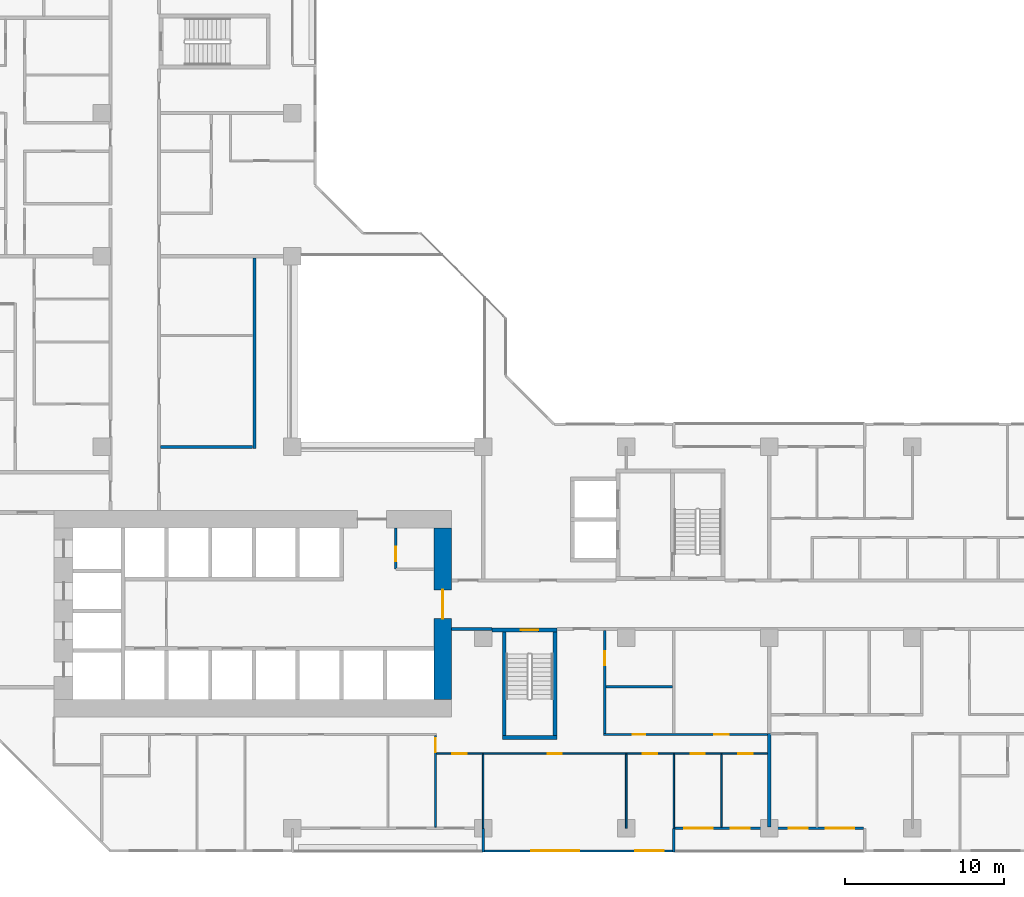
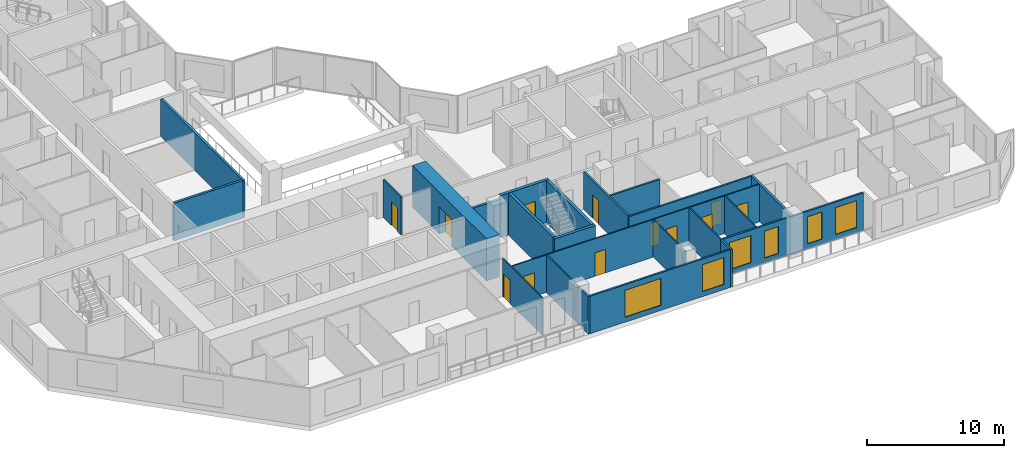
# One storey, part 6 of 15: 23 walls, 12 doors, 6 windows, 18 openings.
"""IFC4 building model written with IfcOpenShell, lengths in metres."""

from ifc_helpers import new_model, si_unit, direction, frame, frame_2d, origin, place, context, subcontext, project, spatial, rectangle, extrude, material, layer, layer_set, type_object, element, fill, save


model = new_model("IFC4")

# Units and contexts
model_context = context("Model", 3, precision=1e-05, world=origin(), true_north=direction((0.0, 1.0)))
body_context = subcontext(model_context, "Body", "Model", "MODEL_VIEW")
ifc_project = project(units=[si_unit("LENGTHUNIT", "METRE"), si_unit("AREAUNIT", "SQUARE_METRE"), si_unit("VOLUMEUNIT", "CUBIC_METRE"), si_unit("PLANEANGLEUNIT", "RADIAN"), si_unit("MASSUNIT", "GRAM", prefix="KILO")], contexts=[model_context])

# Site, building, storey
site_placement = place(None, origin())
site = spatial("IfcSite", under=ifc_project, at=site_placement, CompositionType="ELEMENT")
building_placement = place(site_placement, origin())
building = spatial("IfcBuilding", under=site, at=building_placement, Name="Chenar Terraces", CompositionType="ELEMENT")
storey_placement = place(building_placement, frame((0.0, 0.0, 52.64990234375)))
storey = spatial("IfcBuildingStorey", under=building, at=storey_placement, Name="L10", CompositionType="ELEMENT", Elevation=52.64990234375)

# Wall, opening, door
ifc_material_1 = material(Name="Gypsum board on steel studs", Category="steel")
ifc_layer_1 = layer(ifc_material_1, 0.14990234375)
ifc_layer_set_1 = layer_set([ifc_layer_1], Name="Gypsum board on steel studs")
wall_type_1 = type_object("IfcWallType", Name="Core partition 150 gypsum board", PredefinedType="PARTITIONING", material=ifc_layer_set_1)
wall_1_placement = place(storey_placement, frame((30.5, 16.300048828125, 0.0), z_axis=(0.0, 0.0, 1.0), x_axis=(0.0, 1.0, 0.0)))
wall_1 = element("IfcWall", 1, at=wall_1_placement, inside=storey, type_object=wall_type_1, Name="Core partition CP1 vestibule room west wall", PredefinedType="PARTITIONING", context=body_context, shape_type="SweptSolid", body=[
    extrude(rectangle(XDim=2.599853515625, YDim=0.14990234375, at=frame_2d((1.2998046875, 0.0))), origin(), (0.0, 0.0, 1.0), 3.35009765625),
])
opening_1_placement = place(wall_1_placement, frame((0.5, 0.0, 0.0)))
opening_1 = element("IfcOpeningElement", 2, at=opening_1_placement, cuts=wall_1, Name="Opening DL10-C13", PredefinedType="OPENING", context=body_context, shape_type="SweptSolid", body=[
    extrude(rectangle(XDim=0.89990234375, YDim=2.10009765625, at=frame_2d((0.449951171875, 1.050048828125))), frame((0.0, 0.0849609375, 0.0), z_axis=(0.0, -1.0, 0.0), x_axis=(1.0, 0.0, 0.0)), (0.0, 0.0, 1.0), 0.169921875),
])
ifc_material_2 = material(Name="Steel-framed fire-resisting door leaf", Category="steel")
door_type_1 = type_object("IfcDoorType", Name="Riser fire door FD60 900 x 2100", OperationType="SINGLE_SWING_LEFT", PredefinedType="DOOR", material=ifc_material_2)
door_1_placement = place(opening_1_placement, frame((0.89990234375, 0.0, 0.0), z_axis=(0.0, 0.0, 1.0), x_axis=(-1.0, 0.0, 0.0)))
door_1 = element("IfcDoor", 3, at=door_1_placement, inside=storey, type_object=door_type_1, Name="Core room door DL10-C13", OperationType="SINGLE_SWING_RIGHT", OverallHeight=2.10009765625, OverallWidth=0.89990234375, PredefinedType="DOOR", context=body_context, shape_type="SweptSolid", body=[
    extrude(rectangle(XDim=0.89990234375, YDim=2.10009765625, at=frame_2d((0.449951171875, 1.050048828125))), frame((0.0, 0.02490234375, 0.0), z_axis=(0.0, -1.0, 0.0), x_axis=(1.0, 0.0, 0.0)), (0.0, 0.0, 1.0), 0.050048828125),
])
fill(opening_1, door_1)

ifc_material_3 = material(Name="Concrete C70/85", Category="concrete")
ifc_layer_2 = layer(ifc_material_3, 1.10009765625)
ifc_layer_set_2 = layer_set([ifc_layer_2], Name="Concrete C70/85")
wall_type_2 = type_object("IfcWallType", Name="Core wall 1100 Concrete C70/85", PredefinedType="SHEAR", material=ifc_layer_set_2)
wall_2_placement = place(storey_placement, frame((33.449951171875, 8.10009765625, 0.0), z_axis=(0.0, 0.0, 1.0), x_axis=(0.0, 1.0, 0.0)))
wall_2 = element("IfcWall", 4, at=wall_2_placement, inside=storey, type_object=wall_type_2, Name="Core wall E L10", PredefinedType="SHEAR", context=body_context, shape_type="SweptSolid", body=[
    extrude(rectangle(XDim=10.7998046875, YDim=1.10009765625, at=frame_2d((5.39990234375, 0.0))), origin(), (0.0, 0.0, 1.0), 3.75),
])
opening_2_placement = place(wall_2_placement, frame((5.10009765625, 0.0, 0.0)))
opening_2 = element("IfcOpeningElement", 5, at=opening_2_placement, cuts=wall_2, Name="Opening DL10-C1", PredefinedType="OPENING", context=body_context, shape_type="SweptSolid", body=[
    extrude(rectangle(XDim=1.800048828125, YDim=2.39990234375, at=frame_2d((0.89990234375, 1.199951171875))), frame((0.0, 0.56005859375, 0.0), z_axis=(0.0, -1.0, 0.0), x_axis=(1.0, 0.0, 0.0)), (0.0, 0.0, 1.0), 1.1201171875),
])
ifc_material_4 = material(Name="Steel-framed fire-resisting door leaf", Category="steel")
door_type_2 = type_object("IfcDoorType", Name="Core entrance double fire door FD60 1800 x 2400", OperationType="DOUBLE_DOOR_SINGLE_SWING", PredefinedType="DOOR", material=ifc_material_4)
door_2_placement = place(opening_2_placement, origin())
door_2 = element("IfcDoor", 6, at=door_2_placement, inside=storey, type_object=door_type_2, Name="Core door DL10-C1", OperationType="DOUBLE_DOOR_SINGLE_SWING", OverallHeight=2.39990234375, OverallWidth=1.800048828125, PredefinedType="DOOR", context=body_context, shape_type="SweptSolid", body=[
    extrude(rectangle(XDim=1.800048828125, YDim=2.39990234375, at=frame_2d((0.89990234375, 1.199951171875))), frame((0.0, 0.02490234375, 0.0), z_axis=(0.0, -1.0, 0.0), x_axis=(1.0, 0.0, 0.0)), (0.0, 0.0, 1.0), 0.050048828125),
])
fill(opening_2, door_2)

# Wall
ifc_material_5 = material(Name="Concrete C70/85", Category="concrete")
ifc_layer_3 = layer(ifc_material_5, 0.25)
ifc_layer_set_3 = layer_set([ifc_layer_3], Name="Concrete C70/85")
wall_type_3 = type_object("IfcWallType", Name="Core wall 250 Concrete C70/85", PredefinedType="SHEAR", material=ifc_layer_set_3)
wall_3_placement = place(storey_placement, frame((37.199951171875, 5.72509765625, 0.0), z_axis=(0.0, 0.0, 1.0), x_axis=(1.0, 0.0, 0.0)))
element("IfcWall", 7, at=wall_3_placement, inside=storey, type_object=wall_type_3, Name="Core wall ST2_S L10", PredefinedType="SHEAR", context=body_context, shape_type="SweptSolid", body=[
    extrude(rectangle(XDim=3.449951171875, YDim=0.25, at=frame_2d((1.72509765625, 0.0))), origin(), (0.0, 0.0, 1.0), 3.75),
])

# Wall, opening, door
wall_4_placement = place(storey_placement, frame((36.550048828125, 12.47509765625, 0.0), z_axis=(0.0, 0.0, 1.0), x_axis=(1.0, 0.0, 0.0)))
wall_4 = element("IfcWall", 8, at=wall_4_placement, inside=storey, type_object=wall_type_3, Name="Core wall ST2_N L10", PredefinedType="SHEAR", context=body_context, shape_type="SweptSolid", body=[
    extrude(rectangle(XDim=4.099853515625, YDim=0.25, at=frame_2d((2.0498046875, 0.0))), origin(), (0.0, 0.0, 1.0), 3.75),
])
opening_3_placement = place(wall_4_placement, frame((1.824951171875, 0.0, 0.0)))
opening_3 = element("IfcOpeningElement", 9, at=opening_3_placement, cuts=wall_4, Name="Opening DL10-C7", PredefinedType="OPENING", context=body_context, shape_type="SweptSolid", body=[
    extrude(rectangle(XDim=1.10009765625, YDim=2.199951171875, at=frame_2d((0.550048828125, 1.10009765625))), frame((0.0, 0.135009765625, 0.0), z_axis=(0.0, -1.0, 0.0), x_axis=(1.0, 0.0, 0.0)), (0.0, 0.0, 1.0), 0.27001953125),
])
ifc_material_6 = material(Name="Steel-framed fire-resisting door leaf", Category="steel")
door_type_3 = type_object("IfcDoorType", Name="Stair fire door FD60 1100 x 2200", OperationType="SINGLE_SWING_LEFT", PredefinedType="DOOR", material=ifc_material_6)
door_3_placement = place(opening_3_placement, frame((1.10009765625, 0.0, 0.0), z_axis=(0.0, 0.0, 1.0), x_axis=(-1.0, 0.0, 0.0)))
door_3 = element("IfcDoor", 10, at=door_3_placement, inside=storey, type_object=door_type_3, Name="Stair door DL10-C7", OperationType="SINGLE_SWING_LEFT", OverallHeight=2.199951171875, OverallWidth=1.10009765625, PredefinedType="DOOR", context=body_context, shape_type="SweptSolid", body=[
    extrude(rectangle(XDim=1.10009765625, YDim=2.199951171875, at=frame_2d((0.550048828125, 1.10009765625))), frame((0.0, 0.02490234375, 0.0), z_axis=(0.0, -1.0, 0.0), x_axis=(1.0, 0.0, 0.0)), (0.0, 0.0, 1.0), 0.050048828125),
])
fill(opening_3, door_3)

# Walls
for number, where, z_axis, x_axis, name in (
    (11, (37.324951171875, 5.85009765625, 0.0), (0.0, 0.0, 1.0), (0.0, 1.0, 0.0), "Core wall ST2_W L10"),
    (12, (40.52490234375, 5.85009765625, 0.0), (0.0, 0.0, 1.0), (0.0, 1.0, 0.0), "Core wall ST2_E L10"),
):
    element("IfcWall", number, at=place(storey_placement, frame(where, z_axis=z_axis, x_axis=x_axis)), inside=storey, type_object=wall_type_3, Name=name, PredefinedType="SHEAR", context=body_context, shape_type="SweptSolid", body=[
        extrude(rectangle(XDim=6.5, YDim=0.25, at=frame_2d((3.25, 0.0))), origin(), (0.0, 0.0, 1.0), 3.75),
    ])
ifc_material_7 = material(Name="Gypsum board on steel studs with fire boards", Category="steel")
ifc_layer_4 = layer(ifc_material_7, 0.199951171875)
ifc_layer_set_4 = layer_set([ifc_layer_4], Name="Gypsum board on steel studs with fire boards")
wall_type_4 = type_object("IfcWallType", Name="Corridor wall 200", PredefinedType="PARTITIONING", material=ifc_layer_set_4)
wall_5_placement = place(storey_placement, frame((15.699951171875, 24.0, 0.0), z_axis=(0.0, 0.0, 1.0), x_axis=(1.0, 0.0, 0.0)))
element("IfcWall", 13, at=wall_5_placement, inside=storey, type_object=wall_type_4, Name="Partition L10-046", PredefinedType="PARTITIONING", context=body_context, shape_type="SweptSolid", body=[
    extrude(rectangle(XDim=5.800048828125, YDim=0.199951171875, at=frame_2d((2.89990234375, 0.0))), origin(), (0.0, 0.0, 1.0), 3.35009765625),
])
wall_6_placement = place(storey_placement, frame((21.60009765625, 23.89990234375, 0.0), z_axis=(0.0, 0.0, 1.0), x_axis=(0.0, 1.0, 0.0)))
element("IfcWall", 14, at=wall_6_placement, inside=storey, type_object=wall_type_4, Name="Partition L10-064", PredefinedType="PARTITIONING", context=body_context, shape_type="SweptSolid", body=[
    extrude(rectangle(XDim=12.0, YDim=0.199951171875, at=frame_2d((6.0, 0.0))), origin(), (0.0, 0.0, 1.0), 3.35009765625),
])
wall_7_placement = place(storey_placement, frame((34.0, 12.550048828125, 0.0), z_axis=(0.0, 0.0, 1.0), x_axis=(1.0, 0.0, 0.0)))
element("IfcWall", 15, at=wall_7_placement, inside=storey, type_object=wall_type_4, Name="Partition L10-068", PredefinedType="PARTITIONING", context=body_context, shape_type="SweptSolid", body=[
    extrude(rectangle(XDim=2.551025390625, YDim=0.199951171875, at=frame_2d((1.275390625, 0.0))), origin(), (0.0, 0.0, 1.0), 3.35009765625),
])

# Wall, openings, windows
ifc_material_8 = material(Name="Aluminium framed glazing", Category="aluminium")
ifc_layer_5 = layer(ifc_material_8, 0.14990234375)
ifc_layer_set_5 = layer_set([ifc_layer_5], Name="Aluminium framed glazing")
wall_type_5 = type_object("IfcWallType", Name="Glazed flush facade wall 150", PredefinedType="SOLIDWALL", material=ifc_layer_set_5)
wall_8_placement = place(storey_placement, frame((36.074951171875, -1.425048828125, 0.0), z_axis=(0.0, 0.0, 1.0), x_axis=(1.0, 0.0, 0.0)))
wall_8 = element("IfcWall", 16, at=wall_8_placement, inside=storey, type_object=wall_type_5, Name="Glazed flush facade wall", PredefinedType="SOLIDWALL", context=body_context, shape_type="SweptSolid", body=[
    extrude(rectangle(XDim=11.85009765625, YDim=0.14990234375, at=frame_2d((5.925048828125, 0.0))), origin(), (0.0, 0.0, 1.0), 3.35009765625),
])
opening_4_placement = place(wall_8_placement, frame((2.96240234375, 0.0, 0.449951171875)))
opening_4 = element("IfcOpeningElement", 17, at=opening_4_placement, cuts=wall_8, Name="Opening W300x240", PredefinedType="OPENING", context=body_context, shape_type="SweptSolid", body=[
    extrude(rectangle(XDim=3.0, YDim=2.39990234375, at=frame_2d((1.5, 1.199951171875))), frame((0.0, 0.0849609375, 0.0), z_axis=(0.0, -1.0, 0.0), x_axis=(1.0, 0.0, 0.0)), (0.0, 0.0, 1.0), 0.169921875),
])
opening_5_placement = place(wall_8_placement, frame((9.487548828125, 0.0, 0.449951171875)))
opening_5 = element("IfcOpeningElement", 18, at=opening_5_placement, cuts=wall_8, Name="Opening W180x240", PredefinedType="OPENING", context=body_context, shape_type="SweptSolid", body=[
    extrude(rectangle(XDim=1.800048828125, YDim=2.39990234375, at=frame_2d((0.89990234375, 1.199951171875))), frame((0.0, 0.0849609375, 0.0), z_axis=(0.0, -1.0, 0.0), x_axis=(1.0, 0.0, 0.0)), (0.0, 0.0, 1.0), 0.169921875),
])
ifc_material_9 = material(Name="Low emissivity double glazing, aluminium frame", Category="aluminium")
window_type_1 = type_object("IfcWindowType", Name="Fixed light 1800 x 2400", PartitioningType="SINGLE_PANEL", PredefinedType="WINDOW", material=ifc_material_9)
window_1_placement = place(opening_5_placement, origin())
window_1 = element("IfcWindow", 19, at=window_1_placement, inside=storey, type_object=window_type_1, Name="Window", OverallHeight=2.39990234375, OverallWidth=1.800048828125, PartitioningType="SINGLE_PANEL", PredefinedType="WINDOW", context=body_context, shape_type="SweptSolid", body=[
    extrude(rectangle(XDim=1.800048828125, YDim=2.39990234375, at=frame_2d((0.89990234375, 1.199951171875))), frame((0.0, 0.030029296875, 0.0), z_axis=(0.0, -1.0, 0.0), x_axis=(1.0, 0.0, 0.0)), (0.0, 0.0, 1.0), 0.06005859375),
])
fill(opening_5, window_1)
ifc_material_10 = material(Name="Low emissivity double glazing, aluminium frame", Category="aluminium")
window_type_2 = type_object("IfcWindowType", Name="Fixed light 3000 x 2400", PartitioningType="SINGLE_PANEL", PredefinedType="WINDOW", material=ifc_material_10)
window_2_placement = place(opening_4_placement, origin())
window_2 = element("IfcWindow", 20, at=window_2_placement, inside=storey, type_object=window_type_2, Name="Window", OverallHeight=2.39990234375, OverallWidth=3.0, PartitioningType="SINGLE_PANEL", PredefinedType="WINDOW", context=body_context, shape_type="SweptSolid", body=[
    extrude(rectangle(XDim=3.0, YDim=2.39990234375, at=frame_2d((1.5, 1.199951171875))), frame((0.0, 0.030029296875, 0.0), z_axis=(0.0, -1.0, 0.0), x_axis=(1.0, 0.0, 0.0)), (0.0, 0.0, 1.0), 0.06005859375),
])
fill(opening_4, window_2)

ifc_material_11 = material(Name="Aluminium framed glazing", Category="aluminium")
ifc_layer_6 = layer(ifc_material_11, 0.14990234375)
ifc_layer_set_6 = layer_set([ifc_layer_6], Name="Aluminium framed glazing")
wall_type_6 = type_object("IfcWallType", Name="Glazed loggia back wall 150", PredefinedType="SOLIDWALL", material=ifc_layer_set_6)
wall_9_placement = place(storey_placement, frame((48.074951171875, 0.0, 0.0), z_axis=(0.0, 0.0, 1.0), x_axis=(1.0, 0.0, 0.0)))
wall_9 = element("IfcWall", 21, at=wall_9_placement, inside=storey, type_object=wall_type_6, Name="Glazed loggia back wall", PredefinedType="SOLIDWALL", context=body_context, shape_type="SweptSolid", body=[
    extrude(rectangle(XDim=11.85009765625, YDim=0.14990234375, at=frame_2d((5.925048828125, 0.0))), origin(), (0.0, 0.0, 1.0), 3.35009765625),
])
opening_6_placement = place(wall_9_placement, frame((0.5625, 0.0, 0.449951171875)))
opening_6 = element("IfcOpeningElement", 22, at=opening_6_placement, cuts=wall_9, Name="Opening W180x240", PredefinedType="OPENING", context=body_context, shape_type="SweptSolid", body=[
    extrude(rectangle(XDim=1.800048828125, YDim=2.39990234375, at=frame_2d((0.89990234375, 1.199951171875))), frame((0.0, 0.0849609375, 0.0), z_axis=(0.0, -1.0, 0.0), x_axis=(1.0, 0.0, 0.0)), (0.0, 0.0, 1.0), 0.169921875),
])
opening_7_placement = place(wall_9_placement, frame((3.5, 0.0, 0.449951171875)))
opening_7 = element("IfcOpeningElement", 23, at=opening_7_placement, cuts=wall_9, Name="Opening W120x240", PredefinedType="OPENING", context=body_context, shape_type="SweptSolid", body=[
    extrude(rectangle(XDim=1.199951171875, YDim=2.39990234375, at=frame_2d((0.60009765625, 1.199951171875))), frame((0.0, 0.0849609375, 0.0), z_axis=(0.0, -1.0, 0.0), x_axis=(1.0, 0.0, 0.0)), (0.0, 0.0, 1.0), 0.169921875),
])
opening_8_placement = place(wall_9_placement, frame((7.14990234375, 0.0, 0.449951171875)))
opening_8 = element("IfcOpeningElement", 24, at=opening_8_placement, cuts=wall_9, Name="Opening W120x240", PredefinedType="OPENING", context=body_context, shape_type="SweptSolid", body=[
    extrude(rectangle(XDim=1.199951171875, YDim=2.39990234375, at=frame_2d((0.60009765625, 1.199951171875))), frame((0.0, 0.0849609375, 0.0), z_axis=(0.0, -1.0, 0.0), x_axis=(1.0, 0.0, 0.0)), (0.0, 0.0, 1.0), 0.169921875),
])
opening_9_placement = place(wall_9_placement, frame((9.487548828125, 0.0, 0.449951171875)))
opening_9 = element("IfcOpeningElement", 25, at=opening_9_placement, cuts=wall_9, Name="Opening W180x240", PredefinedType="OPENING", context=body_context, shape_type="SweptSolid", body=[
    extrude(rectangle(XDim=1.800048828125, YDim=2.39990234375, at=frame_2d((0.89990234375, 1.199951171875))), frame((0.0, 0.0849609375, 0.0), z_axis=(0.0, -1.0, 0.0), x_axis=(1.0, 0.0, 0.0)), (0.0, 0.0, 1.0), 0.169921875),
])
ifc_material_12 = material(Name="Low emissivity double glazing, aluminium frame", Category="aluminium")
window_type_3 = type_object("IfcWindowType", Name="Fixed light 1200 x 2400", PartitioningType="SINGLE_PANEL", PredefinedType="WINDOW", material=ifc_material_12)
window_3_placement = place(opening_7_placement, origin())
window_3 = element("IfcWindow", 26, at=window_3_placement, inside=storey, type_object=window_type_3, Name="Window", OverallHeight=2.39990234375, OverallWidth=1.199951171875, PartitioningType="SINGLE_PANEL", PredefinedType="WINDOW", context=body_context, shape_type="SweptSolid", body=[
    extrude(rectangle(XDim=1.199951171875, YDim=2.39990234375, at=frame_2d((0.60009765625, 1.199951171875))), frame((0.0, 0.030029296875, 0.0), z_axis=(0.0, -1.0, 0.0), x_axis=(1.0, 0.0, 0.0)), (0.0, 0.0, 1.0), 0.06005859375),
])
fill(opening_7, window_3)
window_4_placement = place(opening_8_placement, origin())
window_4 = element("IfcWindow", 27, at=window_4_placement, inside=storey, type_object=window_type_3, Name="Window", OverallHeight=2.39990234375, OverallWidth=1.199951171875, PartitioningType="SINGLE_PANEL", PredefinedType="WINDOW", context=body_context, shape_type="SweptSolid", body=[
    extrude(rectangle(XDim=1.199951171875, YDim=2.39990234375, at=frame_2d((0.60009765625, 1.199951171875))), frame((0.0, 0.030029296875, 0.0), z_axis=(0.0, -1.0, 0.0), x_axis=(1.0, 0.0, 0.0)), (0.0, 0.0, 1.0), 0.06005859375),
])
fill(opening_8, window_4)
window_5_placement = place(opening_6_placement, origin())
window_5 = element("IfcWindow", 28, at=window_5_placement, inside=storey, type_object=window_type_1, Name="Window", OverallHeight=2.39990234375, OverallWidth=1.800048828125, PartitioningType="SINGLE_PANEL", PredefinedType="WINDOW", context=body_context, shape_type="SweptSolid", body=[
    extrude(rectangle(XDim=1.800048828125, YDim=2.39990234375, at=frame_2d((0.89990234375, 1.199951171875))), frame((0.0, 0.030029296875, 0.0), z_axis=(0.0, -1.0, 0.0), x_axis=(1.0, 0.0, 0.0)), (0.0, 0.0, 1.0), 0.06005859375),
])
fill(opening_6, window_5)
window_6_placement = place(opening_9_placement, origin())
window_6 = element("IfcWindow", 29, at=window_6_placement, inside=storey, type_object=window_type_1, Name="Window", OverallHeight=2.39990234375, OverallWidth=1.800048828125, PartitioningType="SINGLE_PANEL", PredefinedType="WINDOW", context=body_context, shape_type="SweptSolid", body=[
    extrude(rectangle(XDim=1.800048828125, YDim=2.39990234375, at=frame_2d((0.89990234375, 1.199951171875))), frame((0.0, 0.030029296875, 0.0), z_axis=(0.0, -1.0, 0.0), x_axis=(1.0, 0.0, 0.0)), (0.0, 0.0, 1.0), 0.06005859375),
])
fill(opening_9, window_6)

# Wall, opening, door
ifc_material_13 = material(Name="Gypsum board on steel studs", Category="steel")
ifc_layer_7 = layer(ifc_material_13, 0.10009765625)
ifc_layer_set_7 = layer_set([ifc_layer_7], Name="Gypsum board on steel studs")
wall_type_7 = type_object("IfcWallType", Name="Gypsum partition 100", PredefinedType="PARTITIONING", material=ifc_layer_set_7)
wall_10_placement = place(storey_placement, frame((33.0, 0.073974609375, 0.0), z_axis=(0.0, 0.0, 1.0), x_axis=(0.0, 1.0, 0.0)))
wall_10 = element("IfcWall", 30, at=wall_10_placement, inside=storey, type_object=wall_type_7, Name="Partition L10-066", PredefinedType="PARTITIONING", context=body_context, shape_type="SweptSolid", body=[
    extrude(rectangle(XDim=5.7509765625, YDim=0.10009765625, at=frame_2d((2.87548828125, 0.0))), origin(), (0.0, 0.0, 1.0), 3.35009765625),
])
opening_10_placement = place(wall_10_placement, frame((4.700927734375, 0.0, 0.0)))
opening_10 = element("IfcOpeningElement", 31, at=opening_10_placement, cuts=wall_10, Name="Opening DL10-53", PredefinedType="OPENING", context=body_context, shape_type="SweptSolid", body=[
    extrude(rectangle(XDim=0.89990234375, YDim=2.10009765625, at=frame_2d((0.449951171875, 1.050048828125))), frame((0.0, 0.06005859375, 0.0), z_axis=(0.0, -1.0, 0.0), x_axis=(1.0, 0.0, 0.0)), (0.0, 0.0, 1.0), 0.1201171875),
])
ifc_material_14 = material(Name="Veneered timber door leaf", Category="wood")
door_type_4 = type_object("IfcDoorType", Name="Door 900 x 2100", OperationType="SINGLE_SWING_LEFT", PredefinedType="DOOR", material=ifc_material_14)
door_4_placement = place(opening_10_placement, origin())
door_4 = element("IfcDoor", 32, at=door_4_placement, inside=storey, type_object=door_type_4, Name="Door DL10-53", OperationType="SINGLE_SWING_RIGHT", OverallHeight=2.10009765625, OverallWidth=0.89990234375, PredefinedType="DOOR", context=body_context, shape_type="SweptSolid", body=[
    extrude(rectangle(XDim=0.89990234375, YDim=2.10009765625, at=frame_2d((0.449951171875, 1.050048828125))), frame((0.0, 0.02490234375, 0.0), z_axis=(0.0, -1.0, 0.0), x_axis=(1.0, 0.0, 0.0)), (0.0, 0.0, 1.0), 0.050048828125),
])
fill(opening_10, door_4)

# Wall, openings, doors
wall_11_placement = place(storey_placement, frame((33.050048828125, 4.699951171875, 0.0), z_axis=(0.0, 0.0, 1.0), x_axis=(1.0, 0.0, 0.0)))
wall_11 = element("IfcWall", 33, at=wall_11_placement, inside=storey, type_object=wall_type_7, Name="Partition L10-067", PredefinedType="PARTITIONING", context=body_context, shape_type="SweptSolid", body=[
    extrude(rectangle(XDim=20.849853515625, YDim=0.10009765625, at=frame_2d((10.4248046875, 0.0))), origin(), (0.0, 0.0, 1.0), 3.35009765625),
])
opening_11_placement = place(wall_11_placement, frame((1.0, 0.0, 0.0)))
opening_11 = element("IfcOpeningElement", 34, at=opening_11_placement, cuts=wall_11, Name="Opening DL10-54", PredefinedType="OPENING", context=body_context, shape_type="SweptSolid", body=[
    extrude(rectangle(XDim=0.89990234375, YDim=2.10009765625, at=frame_2d((0.449951171875, 1.050048828125))), frame((0.0, 0.06005859375, 0.0), z_axis=(0.0, -1.0, 0.0), x_axis=(1.0, 0.0, 0.0)), (0.0, 0.0, 1.0), 0.1201171875),
])
opening_12_placement = place(wall_11_placement, frame((13.0, 0.0, 0.0)))
opening_12 = element("IfcOpeningElement", 35, at=opening_12_placement, cuts=wall_11, Name="Opening DL10-55", PredefinedType="OPENING", context=body_context, shape_type="SweptSolid", body=[
    extrude(rectangle(XDim=0.89990234375, YDim=2.10009765625, at=frame_2d((0.449951171875, 1.050048828125))), frame((0.0, 0.06005859375, 0.0), z_axis=(0.0, -1.0, 0.0), x_axis=(1.0, 0.0, 0.0)), (0.0, 0.0, 1.0), 0.1201171875),
])
opening_13_placement = place(wall_11_placement, frame((16.0, 0.0, 0.0)))
opening_13 = element("IfcOpeningElement", 36, at=opening_13_placement, cuts=wall_11, Name="Opening DL10-56", PredefinedType="OPENING", context=body_context, shape_type="SweptSolid", body=[
    extrude(rectangle(XDim=0.89990234375, YDim=2.10009765625, at=frame_2d((0.449951171875, 1.050048828125))), frame((0.0, 0.06005859375, 0.0), z_axis=(0.0, -1.0, 0.0), x_axis=(1.0, 0.0, 0.0)), (0.0, 0.0, 1.0), 0.1201171875),
])
opening_14_placement = place(wall_11_placement, frame((19.0, 0.0, 0.0)))
opening_14 = element("IfcOpeningElement", 37, at=opening_14_placement, cuts=wall_11, Name="Opening DL10-57", PredefinedType="OPENING", context=body_context, shape_type="SweptSolid", body=[
    extrude(rectangle(XDim=0.89990234375, YDim=2.10009765625, at=frame_2d((0.449951171875, 1.050048828125))), frame((0.0, 0.06005859375, 0.0), z_axis=(0.0, -1.0, 0.0), x_axis=(1.0, 0.0, 0.0)), (0.0, 0.0, 1.0), 0.1201171875),
])
opening_15_placement = place(wall_11_placement, frame((7.0, 0.0, 0.0)))
opening_15 = element("IfcOpeningElement", 38, at=opening_15_placement, cuts=wall_11, Name="Opening DL10-66", PredefinedType="OPENING", context=body_context, shape_type="SweptSolid", body=[
    extrude(rectangle(XDim=0.89990234375, YDim=2.10009765625, at=frame_2d((0.449951171875, 1.050048828125))), frame((0.0, 0.06005859375, 0.0), z_axis=(0.0, -1.0, 0.0), x_axis=(1.0, 0.0, 0.0)), (0.0, 0.0, 1.0), 0.1201171875),
])
door_5_placement = place(opening_11_placement, frame((0.89990234375, 0.0, 0.0), z_axis=(0.0, 0.0, 1.0), x_axis=(-1.0, 0.0, 0.0)))
door_5 = element("IfcDoor", 39, at=door_5_placement, inside=storey, type_object=door_type_4, Name="Door DL10-54", OperationType="SINGLE_SWING_LEFT", OverallHeight=2.10009765625, OverallWidth=0.89990234375, PredefinedType="DOOR", context=body_context, shape_type="SweptSolid", body=[
    extrude(rectangle(XDim=0.89990234375, YDim=2.10009765625, at=frame_2d((0.449951171875, 1.050048828125))), frame((0.0, 0.02490234375, 0.0), z_axis=(0.0, -1.0, 0.0), x_axis=(1.0, 0.0, 0.0)), (0.0, 0.0, 1.0), 0.050048828125),
])
fill(opening_11, door_5)
door_6_placement = place(opening_12_placement, frame((0.89990234375, 0.0, 0.0), z_axis=(0.0, 0.0, 1.0), x_axis=(-1.0, 0.0, 0.0)))
door_6 = element("IfcDoor", 40, at=door_6_placement, inside=storey, type_object=door_type_4, Name="Door DL10-55", OperationType="SINGLE_SWING_LEFT", OverallHeight=2.10009765625, OverallWidth=0.89990234375, PredefinedType="DOOR", context=body_context, shape_type="SweptSolid", body=[
    extrude(rectangle(XDim=0.89990234375, YDim=2.10009765625, at=frame_2d((0.449951171875, 1.050048828125))), frame((0.0, 0.02490234375, 0.0), z_axis=(0.0, -1.0, 0.0), x_axis=(1.0, 0.0, 0.0)), (0.0, 0.0, 1.0), 0.050048828125),
])
fill(opening_12, door_6)
door_7_placement = place(opening_13_placement, frame((0.89990234375, 0.0, 0.0), z_axis=(0.0, 0.0, 1.0), x_axis=(-1.0, 0.0, 0.0)))
door_7 = element("IfcDoor", 41, at=door_7_placement, inside=storey, type_object=door_type_4, Name="Door DL10-56", OperationType="SINGLE_SWING_LEFT", OverallHeight=2.10009765625, OverallWidth=0.89990234375, PredefinedType="DOOR", context=body_context, shape_type="SweptSolid", body=[
    extrude(rectangle(XDim=0.89990234375, YDim=2.10009765625, at=frame_2d((0.449951171875, 1.050048828125))), frame((0.0, 0.02490234375, 0.0), z_axis=(0.0, -1.0, 0.0), x_axis=(1.0, 0.0, 0.0)), (0.0, 0.0, 1.0), 0.050048828125),
])
fill(opening_13, door_7)
door_8_placement = place(opening_14_placement, frame((0.89990234375, 0.0, 0.0), z_axis=(0.0, 0.0, 1.0), x_axis=(-1.0, 0.0, 0.0)))
door_8 = element("IfcDoor", 42, at=door_8_placement, inside=storey, type_object=door_type_4, Name="Door DL10-57", OperationType="SINGLE_SWING_LEFT", OverallHeight=2.10009765625, OverallWidth=0.89990234375, PredefinedType="DOOR", context=body_context, shape_type="SweptSolid", body=[
    extrude(rectangle(XDim=0.89990234375, YDim=2.10009765625, at=frame_2d((0.449951171875, 1.050048828125))), frame((0.0, 0.02490234375, 0.0), z_axis=(0.0, -1.0, 0.0), x_axis=(1.0, 0.0, 0.0)), (0.0, 0.0, 1.0), 0.050048828125),
])
fill(opening_14, door_8)
door_9_placement = place(opening_15_placement, frame((0.89990234375, 0.0, 0.0), z_axis=(0.0, 0.0, 1.0), x_axis=(-1.0, 0.0, 0.0)))
door_9 = element("IfcDoor", 43, at=door_9_placement, inside=storey, type_object=door_type_4, Name="Door DL10-66", OperationType="SINGLE_SWING_LEFT", OverallHeight=2.10009765625, OverallWidth=0.89990234375, PredefinedType="DOOR", context=body_context, shape_type="SweptSolid", body=[
    extrude(rectangle(XDim=0.89990234375, YDim=2.10009765625, at=frame_2d((0.449951171875, 1.050048828125))), frame((0.0, 0.02490234375, 0.0), z_axis=(0.0, -1.0, 0.0), x_axis=(1.0, 0.0, 0.0)), (0.0, 0.0, 1.0), 0.050048828125),
])
fill(opening_15, door_9)

# Walls
for number, where, z_axis, x_axis, name in (
    (44, (36.0, 0.0, 0.0), (0.0, 0.0, 1.0), (0.0, 1.0, 0.0), "Partition L10-070"),
    (45, (45.0, 0.0, 0.0), (0.0, 0.0, 1.0), (0.0, 1.0, 0.0), "Partition L10-076"),
    (46, (48.0, 0.0, 0.0), (0.0, 0.0, 1.0), (0.0, 1.0, 0.0), "Partition L10-078"),
):
    element("IfcWall", number, at=place(storey_placement, frame(where, z_axis=z_axis, x_axis=x_axis)), inside=storey, type_object=wall_type_7, Name=name, PredefinedType="PARTITIONING", context=body_context, shape_type="SweptSolid", body=[
        extrude(rectangle(XDim=4.64990234375, YDim=0.10009765625, at=frame_2d((2.324951171875, 0.0))), origin(), (0.0, 0.0, 1.0), 3.35009765625),
    ])
wall_12_placement = place(storey_placement, frame((51.0, 0.073974609375, 0.0), z_axis=(0.0, 0.0, 1.0), x_axis=(0.0, 1.0, 0.0)))
element("IfcWall", 47, at=wall_12_placement, inside=storey, type_object=wall_type_7, Name="Partition L10-080", PredefinedType="PARTITIONING", context=body_context, shape_type="SweptSolid", body=[
    extrude(rectangle(XDim=4.575927734375, YDim=0.10009765625, at=frame_2d((2.2880859375, 0.0))), origin(), (0.0, 0.0, 1.0), 3.35009765625),
])
ifc_material_15 = material(Name="Terracotta cladding on insulated backing", Category="masonry")
ifc_layer_8 = layer(ifc_material_15, 0.14990234375)
ifc_layer_set_8 = layer_set([ifc_layer_8], Name="Terracotta cladding on insulated backing")
wall_type_8 = type_object("IfcWallType", Name="Loggia return wall 150", PredefinedType="SOLIDWALL", material=ifc_layer_set_8)
for number, where, z_axis, x_axis, name in (
    (48, (36.0, -1.5, 0.0), (0.0, 0.0, 1.0), (0.0, 1.0, 0.0), "Loggia return wall"),
    (49, (48.0, -1.5, 0.0), (0.0, 0.0, 1.0), (0.0, 1.0, 0.0), "Loggia return wall"),
):
    element("IfcWall", number, at=place(storey_placement, frame(where, z_axis=z_axis, x_axis=x_axis)), inside=storey, type_object=wall_type_8, Name=name, PredefinedType="SOLIDWALL", context=body_context, shape_type="SweptSolid", body=[
        extrude(rectangle(XDim=1.5, YDim=0.14990234375, at=frame_2d((0.75, 0.0))), origin(), (0.0, 0.0, 1.0), 3.35009765625),
    ])
ifc_material_16 = material(Name="Twin gypsum board on steel studs with mineral wool", Category="steel")
ifc_layer_9 = layer(ifc_material_16, 0.199951171875)
ifc_layer_set_9 = layer_set([ifc_layer_9], Name="Twin gypsum board on steel studs with mineral wool")
wall_type_9 = type_object("IfcWallType", Name="Unit demising wall 200", PredefinedType="PARTITIONING", material=ifc_layer_set_9)
wall_13_placement = place(storey_placement, frame((54.0, 0.073974609375, 0.0), z_axis=(0.0, 0.0, 1.0), x_axis=(0.0, 1.0, 0.0)))
element("IfcWall", 50, at=wall_13_placement, inside=storey, type_object=wall_type_9, Name="Partition L10-082", PredefinedType="PARTITIONING", context=body_context, shape_type="SweptSolid", body=[
    extrude(rectangle(XDim=5.901123046875, YDim=0.199951171875, at=frame_2d((2.95068359375, 0.0))), origin(), (0.0, 0.0, 1.0), 3.35009765625),
])

# Wall, openings, doors
ifc_material_17 = material(Name="Moisture-resistant gypsum board on steel studs", Category="steel")
ifc_layer_10 = layer(ifc_material_17, 0.14990234375)
ifc_layer_set_10 = layer_set([ifc_layer_10], Name="Moisture-resistant gypsum board on steel studs")
wall_type_10 = type_object("IfcWallType", Name="Wet-room partition 150", PredefinedType="PARTITIONING", material=ifc_layer_set_10)
wall_14_placement = place(storey_placement, frame((43.574951171875, 5.89990234375, 0.0), z_axis=(0.0, 0.0, 1.0), x_axis=(1.0, 0.0, 0.0)))
wall_14 = element("IfcWall", 51, at=wall_14_placement, inside=storey, type_object=wall_type_10, Name="Partition L10-073", PredefinedType="PARTITIONING", context=body_context, shape_type="SweptSolid", body=[
    extrude(rectangle(XDim=10.324951171875, YDim=0.14990234375, at=frame_2d((5.16259765625, 0.0))), origin(), (0.0, 0.0, 1.0), 3.35009765625),
])
opening_16_placement = place(wall_14_placement, frame((1.824951171875, 0.0, 0.0)))
opening_16 = element("IfcOpeningElement", 52, at=opening_16_placement, cuts=wall_14, Name="Opening DL10-51", PredefinedType="OPENING", context=body_context, shape_type="SweptSolid", body=[
    extrude(rectangle(XDim=0.800048828125, YDim=2.10009765625, at=frame_2d((0.39990234375, 1.050048828125))), frame((0.0, 0.0849609375, 0.0), z_axis=(0.0, -1.0, 0.0), x_axis=(1.0, 0.0, 0.0)), (0.0, 0.0, 1.0), 0.169921875),
])
opening_17_placement = place(wall_14_placement, frame((6.97509765625, 0.0, 0.0)))
opening_17 = element("IfcOpeningElement", 53, at=opening_17_placement, cuts=wall_14, Name="Opening DL10-62", PredefinedType="OPENING", context=body_context, shape_type="SweptSolid", body=[
    extrude(rectangle(XDim=0.89990234375, YDim=2.10009765625, at=frame_2d((0.449951171875, 1.050048828125))), frame((0.0, 0.0849609375, 0.0), z_axis=(0.0, -1.0, 0.0), x_axis=(1.0, 0.0, 0.0)), (0.0, 0.0, 1.0), 0.169921875),
])
ifc_material_18 = material(Name="Veneered timber door leaf", Category="wood")
door_type_5 = type_object("IfcDoorType", Name="Door 800 x 2100", OperationType="SINGLE_SWING_LEFT", PredefinedType="DOOR", material=ifc_material_18)
door_10_placement = place(opening_16_placement, origin())
door_10 = element("IfcDoor", 54, at=door_10_placement, inside=storey, type_object=door_type_5, Name="Door DL10-51", OperationType="SINGLE_SWING_RIGHT", OverallHeight=2.10009765625, OverallWidth=0.800048828125, PredefinedType="DOOR", context=body_context, shape_type="SweptSolid", body=[
    extrude(rectangle(XDim=0.800048828125, YDim=2.10009765625, at=frame_2d((0.39990234375, 1.050048828125))), frame((0.0, 0.02490234375, 0.0), z_axis=(0.0, -1.0, 0.0), x_axis=(1.0, 0.0, 0.0)), (0.0, 0.0, 1.0), 0.050048828125),
])
fill(opening_16, door_10)
door_11_placement = place(opening_17_placement, origin())
door_11 = element("IfcDoor", 55, at=door_11_placement, inside=storey, type_object=door_type_4, Name="Door DL10-62", OperationType="SINGLE_SWING_RIGHT", OverallHeight=2.10009765625, OverallWidth=0.89990234375, PredefinedType="DOOR", context=body_context, shape_type="SweptSolid", body=[
    extrude(rectangle(XDim=0.89990234375, YDim=2.10009765625, at=frame_2d((0.449951171875, 1.050048828125))), frame((0.0, 0.02490234375, 0.0), z_axis=(0.0, -1.0, 0.0), x_axis=(1.0, 0.0, 0.0)), (0.0, 0.0, 1.0), 0.050048828125),
])
fill(opening_17, door_11)

# Wall, opening, door
wall_15_placement = place(storey_placement, frame((43.64990234375, 5.97509765625, 0.0), z_axis=(0.0, 0.0, 1.0), x_axis=(0.0, 1.0, 0.0)))
wall_15 = element("IfcWall", 56, at=wall_15_placement, inside=storey, type_object=wall_type_10, Name="Partition L10-074", PredefinedType="PARTITIONING", context=body_context, shape_type="SweptSolid", body=[
    extrude(rectangle(XDim=6.474853515625, YDim=0.14990234375, at=frame_2d((3.2373046875, 0.0))), origin(), (0.0, 0.0, 1.0), 3.35009765625),
])
opening_18_placement = place(wall_15_placement, frame((4.27490234375, 0.0, 0.0)))
opening_18 = element("IfcOpeningElement", 57, at=opening_18_placement, cuts=wall_15, Name="Opening DL10-64", PredefinedType="OPENING", context=body_context, shape_type="SweptSolid", body=[
    extrude(rectangle(XDim=0.89990234375, YDim=2.10009765625, at=frame_2d((0.449951171875, 1.050048828125))), frame((0.0, 0.0849609375, 0.0), z_axis=(0.0, -1.0, 0.0), x_axis=(1.0, 0.0, 0.0)), (0.0, 0.0, 1.0), 0.169921875),
])
door_12_placement = place(opening_18_placement, frame((0.89990234375, 0.0, 0.0), z_axis=(0.0, 0.0, 1.0), x_axis=(-1.0, 0.0, 0.0)))
door_12 = element("IfcDoor", 58, at=door_12_placement, inside=storey, type_object=door_type_4, Name="Door DL10-64", OperationType="SINGLE_SWING_RIGHT", OverallHeight=2.10009765625, OverallWidth=0.89990234375, PredefinedType="DOOR", context=body_context, shape_type="SweptSolid", body=[
    extrude(rectangle(XDim=0.89990234375, YDim=2.10009765625, at=frame_2d((0.449951171875, 1.050048828125))), frame((0.0, 0.02490234375, 0.0), z_axis=(0.0, -1.0, 0.0), x_axis=(1.0, 0.0, 0.0)), (0.0, 0.0, 1.0), 0.050048828125),
])
fill(opening_18, door_12)

# Wall
wall_16_placement = place(storey_placement, frame((43.72509765625, 8.89990234375, 0.0), z_axis=(0.0, 0.0, 1.0), x_axis=(1.0, 0.0, 0.0)))
element("IfcWall", 59, at=wall_16_placement, inside=storey, type_object=wall_type_10, Name="Partition L10-075", PredefinedType="PARTITIONING", context=body_context, shape_type="SweptSolid", body=[
    extrude(rectangle(XDim=4.199951171875, YDim=0.14990234375, at=frame_2d((2.10009765625, 0.0))), origin(), (0.0, 0.0, 1.0), 3.35009765625),
])

save(model, "model.ifc")
